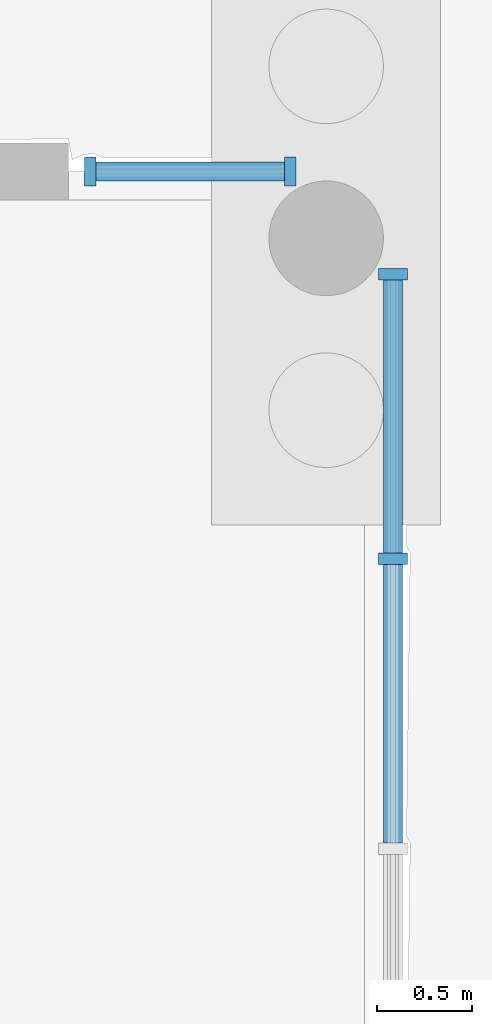
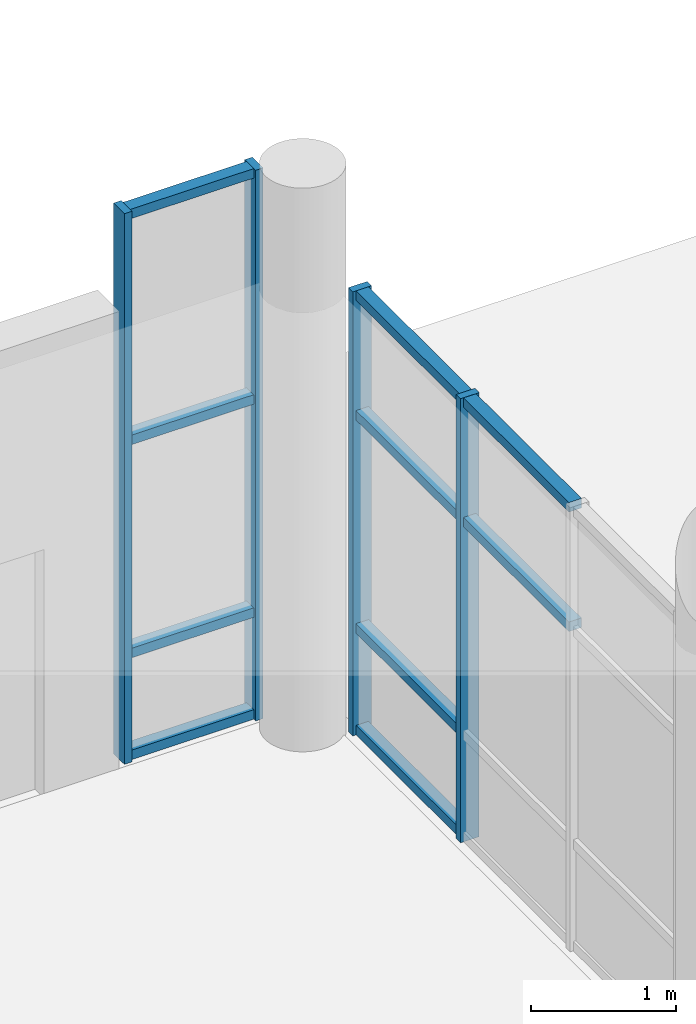
# One storey, part 37 of 110: 14 members, 2 elements without a shape of their own.
"""IFC4 building model written with IfcOpenShell, lengths in metres."""

from ifc_helpers import new_model, si_unit, direction, frame, origin, origin_2d, place, context, subcontext, project, spatial, rectangle, extrude, material, layer, layer_set, material_profile, profile_set, type_object, element, aggregate, save


model = new_model("IFC4")

# Units and contexts
model_context = context("Model", 3, precision=1e-05, world=origin(), true_north=direction((0.0, 1.0)))
body_context = subcontext(model_context, "Body", "Model", "MODEL_VIEW")
ifc_project = project(units=[si_unit("LENGTHUNIT", "METRE"), si_unit("AREAUNIT", "SQUARE_METRE"), si_unit("VOLUMEUNIT", "CUBIC_METRE"), si_unit("PLANEANGLEUNIT", "RADIAN"), si_unit("MASSUNIT", "GRAM", prefix="KILO")], contexts=[model_context])

# Site, building, storey
site_placement = place(None, origin())
site = spatial("IfcSite", under=ifc_project, at=site_placement, CompositionType="ELEMENT")
building_placement = place(site_placement, origin())
building = spatial("IfcBuilding", under=site, at=building_placement, Name="Larchfold Concert Hall", CompositionType="ELEMENT")
storey_placement = place(building_placement, origin())
storey = spatial("IfcBuildingStorey", under=building, at=storey_placement, Name="L00", CompositionType="ELEMENT", Elevation=0.0)

# Curtain wall, members
ifc_material_1 = material(Name="Anodised graphite aluminium curtain wall", Category="aluminium")
ifc_layer = layer(ifc_material_1, 0.14990234375)
ifc_layer_set = layer_set([ifc_layer], Name="Anodised graphite aluminium curtain wall")
curtain_wall_type = type_object("IfcCurtainWallType", Name="Curtain wall WG", PredefinedType="NOTDEFINED", material=ifc_layer_set)
curtain_wall_1_placement = place(storey_placement, origin())
curtain_wall_1 = element("IfcCurtainWall", 1, at=curtain_wall_1_placement, inside=storey, type_object=curtain_wall_type, Name="Curtain wall CW0095", PredefinedType="NOTDEFINED")
ifc_material_2 = material(Name="Anodised graphite aluminium mullion", Category="aluminium")
ifc_material_profile_1 = material_profile(ifc_material_2, rectangle(XDim=0.14990234375, YDim=0.06005859375, at=origin_2d()))
ifc_profile_set_1 = profile_set([ifc_material_profile_1], Name="Anodised graphite aluminium mullion")
member_type_1 = type_object("IfcMemberType", Name="Aluminium mullion 60x150", PredefinedType="MULLION", material=ifc_profile_set_1)
member_1_placement = place(storey_placement, frame((76.199951171875, 129.973388671875, 0.0), z_axis=(0.0, 0.0, 1.0), x_axis=(-1.0, 0.0, 0.0)))
member_1 = element("IfcMember", 2, at=member_1_placement, type_object=member_type_1, Name="CW0095 mullion 3", PredefinedType="MULLION", context=body_context, shape_type="SweptSolid", body=[
    extrude(rectangle(XDim=0.14990234375, YDim=0.06005859375, at=origin_2d()), origin(), (0.0, 0.0, 1.0), 3.75),
])
member_2_placement = place(storey_placement, frame((76.199951171875, 131.4619140625, 0.0), z_axis=(0.0, 0.0, 1.0), x_axis=(-1.0, 0.0, 0.0)))
member_2 = element("IfcMember", 3, at=member_2_placement, type_object=member_type_1, Name="CW0095 mullion 4", PredefinedType="MULLION", context=body_context, shape_type="SweptSolid", body=[
    extrude(rectangle(XDim=0.14990234375, YDim=0.06005859375, at=origin_2d()), origin(), (0.0, 0.0, 1.0), 3.75),
])

curtain_wall_2_placement = place(storey_placement, origin())
curtain_wall_2 = element("IfcCurtainWall", 4, at=curtain_wall_2_placement, inside=storey, type_object=curtain_wall_type, Name="Curtain wall CW0096", PredefinedType="NOTDEFINED")
member_3_placement = place(storey_placement, frame((75.66259765625, 132.0, 0.0), z_axis=(0.0, 0.0, 1.0), x_axis=(0.0, -1.0, 0.0)))
member_3 = element("IfcMember", 5, at=member_3_placement, type_object=member_type_1, Name="CW0096 mullion 1", PredefinedType="MULLION", context=body_context, shape_type="SweptSolid", body=[
    extrude(rectangle(XDim=0.14990234375, YDim=0.06005859375, at=origin_2d()), origin(), (0.0, 0.0, 1.0), 4.64990234375),
])
member_4_placement = place(storey_placement, frame((74.614990234375, 132.0, 0.0), z_axis=(0.0, 0.0, 1.0), x_axis=(0.0, -1.0, 0.0)))
member_4 = element("IfcMember", 6, at=member_4_placement, type_object=member_type_1, Name="CW0096 mullion 2", PredefinedType="MULLION", context=body_context, shape_type="SweptSolid", body=[
    extrude(rectangle(XDim=0.14990234375, YDim=0.06005859375, at=origin_2d()), origin(), (0.0, 0.0, 1.0), 4.64990234375),
])

# Member
ifc_material_3 = material(Name="Anodised graphite aluminium transom", Category="aluminium")
ifc_material_profile_2 = material_profile(ifc_material_3, rectangle(XDim=0.10009765625, YDim=0.080078125, at=origin_2d()))
ifc_profile_set_2 = profile_set([ifc_material_profile_2], Name="Anodised graphite aluminium transom")
member_type_2 = type_object("IfcMemberType", Name="Aluminium transom 80x100", PredefinedType="USERDEFINED", material=ifc_profile_set_2)
member_5_placement = place(storey_placement, frame((76.199951171875, 128.484619140625, 2.699951171875), z_axis=(0.0, 1.0, 0.0), x_axis=(-1.0, 0.0, 0.0)))
member_5 = element("IfcMember", 7, at=member_5_placement, type_object=member_type_2, Name="CW0095 transom 2.3", ObjectType="TRANSOM", PredefinedType="USERDEFINED", context=body_context, shape_type="SweptSolid", body=[
    extrude(rectangle(XDim=0.10009765625, YDim=0.080078125, at=origin_2d()), origin(), (0.0, 0.0, 1.0), 1.458740234375),
])

member_6_placement = place(storey_placement, frame((76.199951171875, 128.484619140625, 3.7099609375), z_axis=(0.0, 1.0, 0.0), x_axis=(-1.0, 0.0, 0.0)))
member_6 = element("IfcMember", 8, at=member_6_placement, type_object=member_type_2, Name="CW0095 transom 2.4", ObjectType="TRANSOM", PredefinedType="USERDEFINED", context=body_context, shape_type="SweptSolid", body=[
    extrude(rectangle(XDim=0.10009765625, YDim=0.080078125, at=origin_2d()), origin(), (0.0, 0.0, 1.0), 1.458740234375),
])

member_7_placement = place(storey_placement, frame((76.199951171875, 130.00341796875, 0.0400390625), z_axis=(0.0, 1.0, 0.0), x_axis=(-1.0, 0.0, 0.0)))
member_7 = element("IfcMember", 9, at=member_7_placement, type_object=member_type_2, Name="CW0095 transom 3.1", ObjectType="TRANSOM", PredefinedType="USERDEFINED", context=body_context, shape_type="SweptSolid", body=[
    extrude(rectangle(XDim=0.10009765625, YDim=0.080078125, at=origin_2d()), origin(), (0.0, 0.0, 1.0), 1.428466796875),
])

member_8_placement = place(storey_placement, frame((76.199951171875, 130.00341796875, 0.89990234375), z_axis=(0.0, 1.0, 0.0), x_axis=(-1.0, 0.0, 0.0)))
member_8 = element("IfcMember", 10, at=member_8_placement, type_object=member_type_2, Name="CW0095 transom 3.2", ObjectType="TRANSOM", PredefinedType="USERDEFINED", context=body_context, shape_type="SweptSolid", body=[
    extrude(rectangle(XDim=0.10009765625, YDim=0.080078125, at=origin_2d()), origin(), (0.0, 0.0, 1.0), 1.428466796875),
])

member_9_placement = place(storey_placement, frame((76.199951171875, 130.00341796875, 2.699951171875), z_axis=(0.0, 1.0, 0.0), x_axis=(-1.0, 0.0, 0.0)))
member_9 = element("IfcMember", 11, at=member_9_placement, type_object=member_type_2, Name="CW0095 transom 3.3", ObjectType="TRANSOM", PredefinedType="USERDEFINED", context=body_context, shape_type="SweptSolid", body=[
    extrude(rectangle(XDim=0.10009765625, YDim=0.080078125, at=origin_2d()), origin(), (0.0, 0.0, 1.0), 1.428466796875),
])

member_10_placement = place(storey_placement, frame((76.199951171875, 130.00341796875, 3.7099609375), z_axis=(0.0, 1.0, 0.0), x_axis=(-1.0, 0.0, 0.0)))
member_10 = element("IfcMember", 12, at=member_10_placement, type_object=member_type_2, Name="CW0095 transom 3.4", ObjectType="TRANSOM", PredefinedType="USERDEFINED", context=body_context, shape_type="SweptSolid", body=[
    extrude(rectangle(XDim=0.10009765625, YDim=0.080078125, at=origin_2d()), origin(), (0.0, 0.0, 1.0), 1.428466796875),
])

aggregate(curtain_wall_1, [member_1, member_2, member_5, member_6, member_7, member_8, member_9, member_10])

member_11_placement = place(storey_placement, frame((75.632568359375, 132.0, 0.0400390625), z_axis=(-1.0, 0.0, 0.0), x_axis=(0.0, -1.0, 0.0)))
member_11 = element("IfcMember", 13, at=member_11_placement, type_object=member_type_2, Name="CW0096 transom 1.1", ObjectType="TRANSOM", PredefinedType="USERDEFINED", context=body_context, shape_type="SweptSolid", body=[
    extrude(rectangle(XDim=0.10009765625, YDim=0.080078125, at=origin_2d()), origin(), (0.0, 0.0, 1.0), 0.987548828125),
])

member_12_placement = place(storey_placement, frame((75.632568359375, 132.0, 0.89990234375), z_axis=(-1.0, 0.0, 0.0), x_axis=(0.0, -1.0, 0.0)))
member_12 = element("IfcMember", 14, at=member_12_placement, type_object=member_type_2, Name="CW0096 transom 1.2", ObjectType="TRANSOM", PredefinedType="USERDEFINED", context=body_context, shape_type="SweptSolid", body=[
    extrude(rectangle(XDim=0.10009765625, YDim=0.080078125, at=origin_2d()), origin(), (0.0, 0.0, 1.0), 0.987548828125),
])

member_13_placement = place(storey_placement, frame((75.632568359375, 132.0, 2.699951171875), z_axis=(-1.0, 0.0, 0.0), x_axis=(0.0, -1.0, 0.0)))
member_13 = element("IfcMember", 15, at=member_13_placement, type_object=member_type_2, Name="CW0096 transom 1.3", ObjectType="TRANSOM", PredefinedType="USERDEFINED", context=body_context, shape_type="SweptSolid", body=[
    extrude(rectangle(XDim=0.10009765625, YDim=0.080078125, at=origin_2d()), origin(), (0.0, 0.0, 1.0), 0.987548828125),
])

member_14_placement = place(storey_placement, frame((75.632568359375, 132.0, 4.60986328125), z_axis=(-1.0, 0.0, 0.0), x_axis=(0.0, -1.0, 0.0)))
member_14 = element("IfcMember", 16, at=member_14_placement, type_object=member_type_2, Name="CW0096 transom 1.4", ObjectType="TRANSOM", PredefinedType="USERDEFINED", context=body_context, shape_type="SweptSolid", body=[
    extrude(rectangle(XDim=0.10009765625, YDim=0.080078125, at=origin_2d()), origin(), (0.0, 0.0, 1.0), 0.987548828125),
])

aggregate(curtain_wall_2, [member_3, member_4, member_11, member_12, member_13, member_14])

save(model, "model.ifc")
